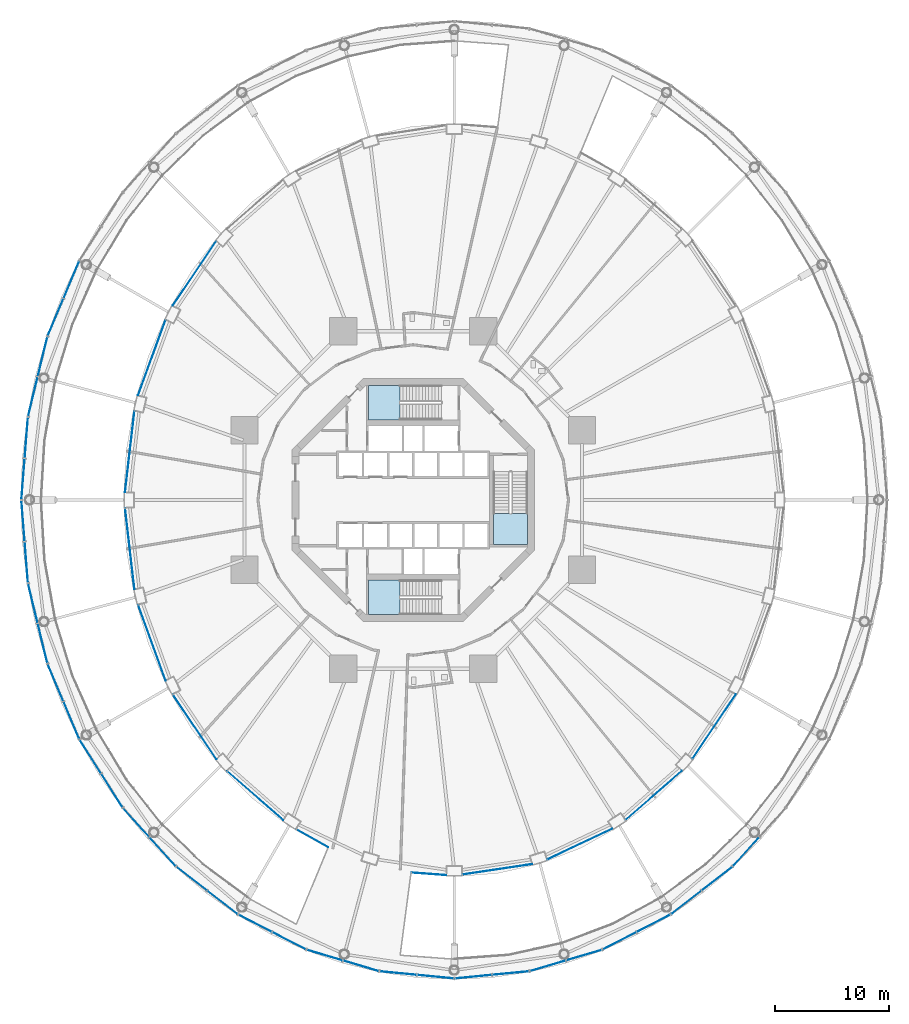
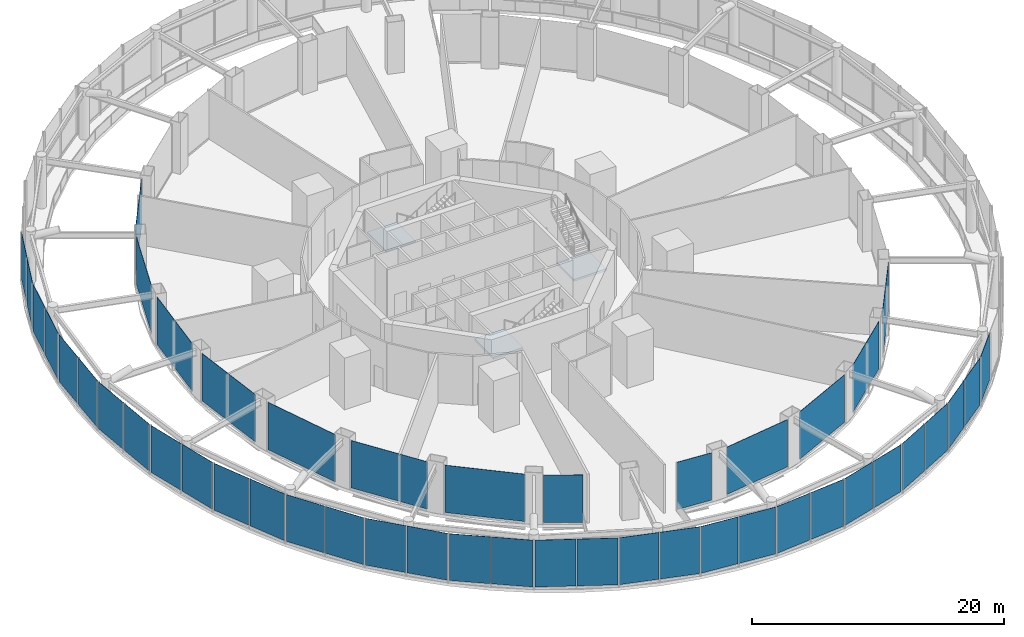
# One storey, part 41 of 52: 46 plates, 3 slabs, 33 elements without a shape of their own.
"""IFC4 building model written with IfcOpenShell, lengths in metres."""

from ifc_helpers import new_model, si_unit, direction, frame, origin, origin_2d, place, context, subcontext, project, spatial, polyline, rectangle, outline, extrude, material, layer, layer_set, type_object, element, aggregate, save


model = new_model("IFC4")

# Units and contexts
model_context = context("Model", 3, precision=1e-05, world=origin(), true_north=direction((0.0, 1.0)))
body_context = subcontext(model_context, "Body", "Model", "MODEL_VIEW")
ifc_project = project(units=[si_unit("LENGTHUNIT", "METRE"), si_unit("AREAUNIT", "SQUARE_METRE"), si_unit("VOLUMEUNIT", "CUBIC_METRE"), si_unit("PLANEANGLEUNIT", "RADIAN"), si_unit("MASSUNIT", "GRAM", prefix="KILO")], contexts=[model_context])

# Site, building, storey
site_placement = place(None, origin())
site = spatial("IfcSite", under=ifc_project, at=site_placement, CompositionType="ELEMENT")
building_placement = place(site_placement, origin())
building = spatial("IfcBuilding", under=site, at=building_placement, Name="Nagisa Residences", CompositionType="ELEMENT")
storey_placement = place(building_placement, frame((0.0, 0.0, 22.0)))
storey = spatial("IfcBuildingStorey", under=building, at=storey_placement, Name="L04", CompositionType="ELEMENT", Elevation=22.0)

# Curtain wall, plates
ifc_material_1 = material(Name="Stainless steel curtain wall system", Category="steel")
ifc_layer_1 = layer(ifc_material_1, 0.159912109375)
ifc_layer_set_1 = layer_set([ifc_layer_1], Name="CW3 CURTAIN WALL")
curtain_wall_type_1 = type_object("IfcCurtainWallType", Name="CW3 CURTAIN WALL", PredefinedType="NOTDEFINED", material=ifc_layer_set_1)
curtain_wall_1_placement = place(storey_placement, origin())
curtain_wall_1 = element("IfcCurtainWall", 1, at=curtain_wall_1_placement, inside=storey, type_object=curtain_wall_type_1, Name="cw:CW3:L04:15", PredefinedType="NOTDEFINED")
ifc_material_2 = material(Name="Low-iron laminated glass", Category="glass")
ifc_layer_2 = layer(ifc_material_2, 0.028076171875)
ifc_layer_set_2 = layer_set([ifc_layer_2], Name="CW3 GLASS PANEL")
plate_type_1 = type_object("IfcPlateType", Name="CW3 GLASS PANEL", PredefinedType="CURTAIN_PANEL", material=ifc_layer_set_2)
plate_1_placement = place(storey_placement, frame((-29.94287109375, 19.291748046875, 0.199951171875), z_axis=(0.0, 0.0, 1.0), x_axis=(-0.388718029417, -0.921356767819, 0.0)))
plate_1 = element("IfcPlate", 2, at=plate_1_placement, type_object=plate_type_1, Name="CW3 panel", PredefinedType="CURTAIN_PANEL", context=body_context, shape_type="SweptSolid", body=[
    extrude(rectangle(XDim=3.480712890625, YDim=0.028076171875, at=origin_2d()), origin(), (0.0, 0.0, 1.0), 4.5400390625),
])
plate_2_placement = place(storey_placement, frame((-31.326904296875, 16.010986328125, 0.199951171875), z_axis=(0.0, 0.0, 1.0), x_axis=(-0.388718029417, -0.921356767819, 0.0)))
plate_2 = element("IfcPlate", 3, at=plate_2_placement, type_object=plate_type_1, Name="CW3 panel", PredefinedType="CURTAIN_PANEL", context=body_context, shape_type="SweptSolid", body=[
    extrude(rectangle(XDim=3.480712890625, YDim=0.028076171875, at=origin_2d()), origin(), (0.0, 0.0, 1.0), 4.5400390625),
])
aggregate(curtain_wall_1, [plate_1, plate_2])

curtain_wall_2_placement = place(storey_placement, origin())
curtain_wall_2 = element("IfcCurtainWall", 4, at=curtain_wall_2_placement, inside=storey, type_object=curtain_wall_type_1, Name="cw:CW3:L04:16", PredefinedType="NOTDEFINED")
plate_3_placement = place(storey_placement, frame((-32.4638671875, 12.55859375, 0.199951171875), z_axis=(0.0, 0.0, 1.0), x_axis=(-0.235605514043, -0.971848775146, 0.0)))
plate_3 = element("IfcPlate", 5, at=plate_3_placement, type_object=plate_type_1, Name="CW3 panel", PredefinedType="CURTAIN_PANEL", context=body_context, shape_type="SweptSolid", body=[
    extrude(rectangle(XDim=3.518310546875, YDim=0.028076171875, at=origin_2d()), origin(), (0.0, 0.0, 1.0), 4.5400390625),
])
plate_4_placement = place(storey_placement, frame((-33.3115234375, 9.061767578125, 0.199951171875), z_axis=(0.0, 0.0, 1.0), x_axis=(-0.235605514043, -0.971848775146, 0.0)))
plate_4 = element("IfcPlate", 6, at=plate_4_placement, type_object=plate_type_1, Name="CW3 panel", PredefinedType="CURTAIN_PANEL", context=body_context, shape_type="SweptSolid", body=[
    extrude(rectangle(XDim=3.518310546875, YDim=0.028076171875, at=origin_2d()), origin(), (0.0, 0.0, 1.0), 4.5400390625),
])
aggregate(curtain_wall_2, [plate_3, plate_4])

curtain_wall_3_placement = place(storey_placement, origin())
curtain_wall_3 = element("IfcCurtainWall", 7, at=curtain_wall_3_placement, inside=storey, type_object=curtain_wall_type_1, Name="cw:CW3:L04:17", PredefinedType="NOTDEFINED")
plate_5_placement = place(storey_placement, frame((-33.888916015625, 5.443603515625, 0.199951171875), z_axis=(0.0, 0.0, 1.0), x_axis=(-0.078909582539, -0.996881777235, 0.0)))
plate_5 = element("IfcPlate", 8, at=plate_5_placement, type_object=plate_type_1, Name="CW3 panel", PredefinedType="CURTAIN_PANEL", context=body_context, shape_type="SweptSolid", body=[
    extrude(rectangle(XDim=3.5380859375, YDim=0.028076171875, at=origin_2d()), origin(), (0.0, 0.0, 1.0), 4.5400390625),
])
plate_6_placement = place(storey_placement, frame((-34.17431640625, 1.8369140625, 0.199951171875), z_axis=(0.0, 0.0, 1.0), x_axis=(-0.078909582539, -0.996881777235, 0.0)))
plate_6 = element("IfcPlate", 9, at=plate_6_placement, type_object=plate_type_1, Name="CW3 panel", PredefinedType="CURTAIN_PANEL", context=body_context, shape_type="SweptSolid", body=[
    extrude(rectangle(XDim=3.5380859375, YDim=0.028076171875, at=origin_2d()), origin(), (0.0, 0.0, 1.0), 4.5400390625),
])
aggregate(curtain_wall_3, [plate_5, plate_6])

curtain_wall_4_placement = place(storey_placement, origin())
curtain_wall_4 = element("IfcCurtainWall", 10, at=curtain_wall_4_placement, inside=storey, type_object=curtain_wall_type_1, Name="cw:CW3:L04:18", PredefinedType="NOTDEFINED")
plate_7_placement = place(storey_placement, frame((-34.17431640625, -1.8369140625, 0.199951171875), z_axis=(0.0, 0.0, 1.0), x_axis=(0.078909582539, -0.996881777235, 0.0)))
plate_7 = element("IfcPlate", 11, at=plate_7_placement, type_object=plate_type_1, Name="CW3 panel", PredefinedType="CURTAIN_PANEL", context=body_context, shape_type="SweptSolid", body=[
    extrude(rectangle(XDim=3.5380859375, YDim=0.028076171875, at=origin_2d()), origin(), (0.0, 0.0, 1.0), 4.5400390625),
])
plate_8_placement = place(storey_placement, frame((-33.888916015625, -5.443603515625, 0.199951171875), z_axis=(0.0, 0.0, 1.0), x_axis=(0.078909582539, -0.996881777235, 0.0)))
plate_8 = element("IfcPlate", 12, at=plate_8_placement, type_object=plate_type_1, Name="CW3 panel", PredefinedType="CURTAIN_PANEL", context=body_context, shape_type="SweptSolid", body=[
    extrude(rectangle(XDim=3.5380859375, YDim=0.028076171875, at=origin_2d()), origin(), (0.0, 0.0, 1.0), 4.5400390625),
])
aggregate(curtain_wall_4, [plate_7, plate_8])

curtain_wall_5_placement = place(storey_placement, origin())
curtain_wall_5 = element("IfcCurtainWall", 13, at=curtain_wall_5_placement, inside=storey, type_object=curtain_wall_type_1, Name="cw:CW3:L04:19", PredefinedType="NOTDEFINED")
plate_9_placement = place(storey_placement, frame((-33.3115234375, -9.061767578125, 0.199951171875), z_axis=(0.0, 0.0, 1.0), x_axis=(0.235605514043, -0.971848775146, 0.0)))
plate_9 = element("IfcPlate", 14, at=plate_9_placement, type_object=plate_type_1, Name="CW3 panel", PredefinedType="CURTAIN_PANEL", context=body_context, shape_type="SweptSolid", body=[
    extrude(rectangle(XDim=3.518310546875, YDim=0.028076171875, at=origin_2d()), origin(), (0.0, 0.0, 1.0), 4.5400390625),
])
plate_10_placement = place(storey_placement, frame((-32.4638671875, -12.55859375, 0.199951171875), z_axis=(0.0, 0.0, 1.0), x_axis=(0.235605514043, -0.971848775146, 0.0)))
plate_10 = element("IfcPlate", 15, at=plate_10_placement, type_object=plate_type_1, Name="CW3 panel", PredefinedType="CURTAIN_PANEL", context=body_context, shape_type="SweptSolid", body=[
    extrude(rectangle(XDim=3.518310546875, YDim=0.028076171875, at=origin_2d()), origin(), (0.0, 0.0, 1.0), 4.5400390625),
])
aggregate(curtain_wall_5, [plate_9, plate_10])

curtain_wall_6_placement = place(storey_placement, origin())
curtain_wall_6 = element("IfcCurtainWall", 16, at=curtain_wall_6_placement, inside=storey, type_object=curtain_wall_type_1, Name="cw:CW3:L04:20", PredefinedType="NOTDEFINED")
plate_11_placement = place(storey_placement, frame((-31.326904296875, -16.010986328125, 0.199951171875), z_axis=(0.0, 0.0, 1.0), x_axis=(0.388718029417, -0.921356767819, 0.0)))
plate_11 = element("IfcPlate", 17, at=plate_11_placement, type_object=plate_type_1, Name="CW3 panel", PredefinedType="CURTAIN_PANEL", context=body_context, shape_type="SweptSolid", body=[
    extrude(rectangle(XDim=3.480712890625, YDim=0.028076171875, at=origin_2d()), origin(), (0.0, 0.0, 1.0), 4.5400390625),
])
plate_12_placement = place(storey_placement, frame((-29.94287109375, -19.291748046875, 0.199951171875), z_axis=(0.0, 0.0, 1.0), x_axis=(0.388718029417, -0.921356767819, 0.0)))
plate_12 = element("IfcPlate", 18, at=plate_12_placement, type_object=plate_type_1, Name="CW3 panel", PredefinedType="CURTAIN_PANEL", context=body_context, shape_type="SweptSolid", body=[
    extrude(rectangle(XDim=3.480712890625, YDim=0.028076171875, at=origin_2d()), origin(), (0.0, 0.0, 1.0), 4.5400390625),
])
aggregate(curtain_wall_6, [plate_11, plate_12])

curtain_wall_7_placement = place(storey_placement, origin())
curtain_wall_7 = element("IfcCurtainWall", 19, at=curtain_wall_7_placement, inside=storey, type_object=curtain_wall_type_1, Name="cw:CW3:L04:21", PredefinedType="NOTDEFINED")
plate_13_placement = place(storey_placement, frame((-28.28076171875, -22.473388671875, 0.199951171875), z_axis=(0.0, 0.0, 1.0), x_axis=(0.535165286856, -0.844747368001, 0.0)))
plate_13 = element("IfcPlate", 20, at=plate_13_placement, type_object=plate_type_1, Name="CW3 panel", PredefinedType="CURTAIN_PANEL", context=body_context, shape_type="SweptSolid", body=[
    extrude(rectangle(XDim=3.4296875, YDim=0.028076171875, at=origin_2d()), origin(), (0.0, 0.0, 1.0), 4.5400390625),
])
plate_14_placement = place(storey_placement, frame((-26.402587890625, -25.43798828125, 0.199951171875), z_axis=(0.0, 0.0, 1.0), x_axis=(0.535165286856, -0.844747368001, 0.0)))
plate_14 = element("IfcPlate", 21, at=plate_14_placement, type_object=plate_type_1, Name="CW3 panel", PredefinedType="CURTAIN_PANEL", context=body_context, shape_type="SweptSolid", body=[
    extrude(rectangle(XDim=3.4296875, YDim=0.028076171875, at=origin_2d()), origin(), (0.0, 0.0, 1.0), 4.5400390625),
])
aggregate(curtain_wall_7, [plate_13, plate_14])

curtain_wall_8_placement = place(storey_placement, origin())
curtain_wall_8 = element("IfcCurtainWall", 22, at=curtain_wall_8_placement, inside=storey, type_object=curtain_wall_type_1, Name="cw:CW3:L04:22", PredefinedType="NOTDEFINED")
plate_15_placement = place(storey_placement, frame((-24.26611328125, -28.25244140625, 0.199951171875), z_axis=(0.0, 0.0, 1.0), x_axis=(0.670913323971, -0.741535779122, 0.0)))
plate_15 = element("IfcPlate", 23, at=plate_15_placement, type_object=plate_type_1, Name="CW3 panel", PredefinedType="CURTAIN_PANEL", context=body_context, shape_type="SweptSolid", body=[
    extrude(rectangle(XDim=3.37060546875, YDim=0.028076171875, at=origin_2d()), origin(), (0.0, 0.0, 1.0), 4.5400390625),
])
plate_16_placement = place(storey_placement, frame((-21.950927734375, -30.811279296875, 0.199951171875), z_axis=(0.0, 0.0, 1.0), x_axis=(0.670913323971, -0.741535779122, 0.0)))
plate_16 = element("IfcPlate", 24, at=plate_16_placement, type_object=plate_type_1, Name="CW3 panel", PredefinedType="CURTAIN_PANEL", context=body_context, shape_type="SweptSolid", body=[
    extrude(rectangle(XDim=3.37060546875, YDim=0.028076171875, at=origin_2d()), origin(), (0.0, 0.0, 1.0), 4.5400390625),
])
aggregate(curtain_wall_8, [plate_15, plate_16])

curtain_wall_9_placement = place(storey_placement, origin())
curtain_wall_9 = element("IfcCurtainWall", 25, at=curtain_wall_9_placement, inside=storey, type_object=curtain_wall_type_1, Name="cw:CW3:L04:23", PredefinedType="NOTDEFINED")
plate_17_placement = place(storey_placement, frame((-19.40478515625, -33.172607421875, 0.199951171875), z_axis=(0.0, 0.0, 1.0), x_axis=(0.790830864353, -0.612034757172, 0.0)))
plate_17 = element("IfcPlate", 26, at=plate_17_placement, type_object=plate_type_1, Name="CW3 panel", PredefinedType="CURTAIN_PANEL", context=body_context, shape_type="SweptSolid", body=[
    extrude(rectangle(XDim=3.310546875, YDim=0.028076171875, at=origin_2d()), origin(), (0.0, 0.0, 1.0), 4.5400390625),
])
plate_18_placement = place(storey_placement, frame((-16.723388671875, -35.247802734375, 0.199951171875), z_axis=(0.0, 0.0, 1.0), x_axis=(0.790830864353, -0.612034757172, 0.0)))
plate_18 = element("IfcPlate", 27, at=plate_18_placement, type_object=plate_type_1, Name="CW3 panel", PredefinedType="CURTAIN_PANEL", context=body_context, shape_type="SweptSolid", body=[
    extrude(rectangle(XDim=3.310546875, YDim=0.028076171875, at=origin_2d()), origin(), (0.0, 0.0, 1.0), 4.5400390625),
])
aggregate(curtain_wall_9, [plate_17, plate_18])

curtain_wall_10_placement = place(storey_placement, origin())
curtain_wall_10 = element("IfcCurtainWall", 28, at=curtain_wall_10_placement, inside=storey, type_object=curtain_wall_type_1, Name="cw:CW3:L04:24", PredefinedType="NOTDEFINED")
plate_19_placement = place(storey_placement, frame((-13.8447265625, -37.084716796875, 0.199951171875), z_axis=(0.0, 0.0, 1.0), x_axis=(0.888887270285, -0.45812598783, 0.0)))
plate_19 = element("IfcPlate", 29, at=plate_19_placement, type_object=plate_type_1, Name="CW3 panel", PredefinedType="CURTAIN_PANEL", context=body_context, shape_type="SweptSolid", body=[
    extrude(rectangle(XDim=3.2568359375, YDim=0.028076171875, at=origin_2d()), origin(), (0.0, 0.0, 1.0), 4.5400390625),
])
plate_20_placement = place(storey_placement, frame((-10.878662109375, -38.61328125, 0.199951171875), z_axis=(0.0, 0.0, 1.0), x_axis=(0.888887270285, -0.45812598783, 0.0)))
plate_20 = element("IfcPlate", 30, at=plate_20_placement, type_object=plate_type_1, Name="CW3 panel", PredefinedType="CURTAIN_PANEL", context=body_context, shape_type="SweptSolid", body=[
    extrude(rectangle(XDim=3.2568359375, YDim=0.028076171875, at=origin_2d()), origin(), (0.0, 0.0, 1.0), 4.5400390625),
])
aggregate(curtain_wall_10, [plate_19, plate_20])

curtain_wall_11_placement = place(storey_placement, origin())
curtain_wall_11 = element("IfcCurtainWall", 31, at=curtain_wall_11_placement, inside=storey, type_object=curtain_wall_type_1, Name="cw:CW3:L04:25", PredefinedType="NOTDEFINED")
plate_21_placement = place(storey_placement, frame((-7.75537109375, -39.869873046875, 0.199951171875), z_axis=(0.0, 0.0, 1.0), x_axis=(0.958835171393, -0.283963226669, 0.0)))
plate_21 = element("IfcPlate", 32, at=plate_21_placement, type_object=plate_type_1, Name="CW3 panel", PredefinedType="CURTAIN_PANEL", context=body_context, shape_type="SweptSolid", body=[
    extrude(rectangle(XDim=3.21630859375, YDim=0.028076171875, at=origin_2d()), origin(), (0.0, 0.0, 1.0), 4.5400390625),
])
plate_22_placement = place(storey_placement, frame((-4.5947265625, -40.805908203125, 0.199951171875), z_axis=(0.0, 0.0, 1.0), x_axis=(0.958835171393, -0.283963226669, 0.0)))
plate_22 = element("IfcPlate", 33, at=plate_22_placement, type_object=plate_type_1, Name="CW3 panel", PredefinedType="CURTAIN_PANEL", context=body_context, shape_type="SweptSolid", body=[
    extrude(rectangle(XDim=3.21630859375, YDim=0.028076171875, at=origin_2d()), origin(), (0.0, 0.0, 1.0), 4.5400390625),
])
aggregate(curtain_wall_11, [plate_21, plate_22])

curtain_wall_12_placement = place(storey_placement, origin())
curtain_wall_12 = element("IfcCurtainWall", 34, at=curtain_wall_12_placement, inside=storey, type_object=curtain_wall_type_1, Name="cw:CW3:L04:26", PredefinedType="NOTDEFINED")
plate_23_placement = place(storey_placement, frame((-1.3212890625, -41.44384765625, 0.199951171875), z_axis=(0.0, 0.0, 1.0), x_axis=(0.995357282289, -0.096249055035, 0.0)))
plate_23 = element("IfcPlate", 35, at=plate_23_placement, type_object=plate_type_1, Name="CW3 panel", PredefinedType="CURTAIN_PANEL", context=body_context, shape_type="SweptSolid", body=[
    extrude(rectangle(XDim=3.19482421875, YDim=0.028076171875, at=origin_2d()), origin(), (0.0, 0.0, 1.0), 4.5400390625),
])
plate_24_placement = place(storey_placement, frame((1.938232421875, -41.759033203125, 0.199951171875), z_axis=(0.0, 0.0, 1.0), x_axis=(0.995357282289, -0.096249055035, 0.0)))
plate_24 = element("IfcPlate", 36, at=plate_24_placement, type_object=plate_type_1, Name="CW3 panel", PredefinedType="CURTAIN_PANEL", context=body_context, shape_type="SweptSolid", body=[
    extrude(rectangle(XDim=3.19482421875, YDim=0.028076171875, at=origin_2d()), origin(), (0.0, 0.0, 1.0), 4.5400390625),
])
aggregate(curtain_wall_12, [plate_23, plate_24])

curtain_wall_13_placement = place(storey_placement, origin())
curtain_wall_13 = element("IfcCurtainWall", 37, at=curtain_wall_13_placement, inside=storey, type_object=curtain_wall_type_1, Name="cw:CW3:L04:27", PredefinedType="NOTDEFINED")
plate_25_placement = place(storey_placement, frame((5.261962890625, -41.759033203125, 0.199951171875), z_axis=(0.0, 0.0, 1.0), x_axis=(0.995357282289, 0.096249055035, 0.0)))
plate_25 = element("IfcPlate", 38, at=plate_25_placement, type_object=plate_type_1, Name="CW3 panel", PredefinedType="CURTAIN_PANEL", context=body_context, shape_type="SweptSolid", body=[
    extrude(rectangle(XDim=3.19482421875, YDim=0.028076171875, at=origin_2d()), origin(), (0.0, 0.0, 1.0), 4.5400390625),
])
plate_26_placement = place(storey_placement, frame((8.521484375, -41.44384765625, 0.199951171875), z_axis=(0.0, 0.0, 1.0), x_axis=(0.995357282289, 0.096249055035, 0.0)))
plate_26 = element("IfcPlate", 39, at=plate_26_placement, type_object=plate_type_1, Name="CW3 panel", PredefinedType="CURTAIN_PANEL", context=body_context, shape_type="SweptSolid", body=[
    extrude(rectangle(XDim=3.19482421875, YDim=0.028076171875, at=origin_2d()), origin(), (0.0, 0.0, 1.0), 4.5400390625),
])
aggregate(curtain_wall_13, [plate_25, plate_26])

curtain_wall_14_placement = place(storey_placement, origin())
curtain_wall_14 = element("IfcCurtainWall", 40, at=curtain_wall_14_placement, inside=storey, type_object=curtain_wall_type_1, Name="cw:CW3:L04:28", PredefinedType="NOTDEFINED")
plate_27_placement = place(storey_placement, frame((11.794677734375, -40.805908203125, 0.199951171875), z_axis=(0.0, 0.0, 1.0), x_axis=(0.958835171393, 0.283963226669, 0.0)))
plate_27 = element("IfcPlate", 41, at=plate_27_placement, type_object=plate_type_1, Name="CW3 panel", PredefinedType="CURTAIN_PANEL", context=body_context, shape_type="SweptSolid", body=[
    extrude(rectangle(XDim=3.21630859375, YDim=0.028076171875, at=origin_2d()), origin(), (0.0, 0.0, 1.0), 4.5400390625),
])
plate_28_placement = place(storey_placement, frame((14.955322265625, -39.869873046875, 0.199951171875), z_axis=(0.0, 0.0, 1.0), x_axis=(0.958835171393, 0.283963226669, 0.0)))
plate_28 = element("IfcPlate", 42, at=plate_28_placement, type_object=plate_type_1, Name="CW3 panel", PredefinedType="CURTAIN_PANEL", context=body_context, shape_type="SweptSolid", body=[
    extrude(rectangle(XDim=3.21630859375, YDim=0.028076171875, at=origin_2d()), origin(), (0.0, 0.0, 1.0), 4.5400390625),
])
aggregate(curtain_wall_14, [plate_27, plate_28])

curtain_wall_15_placement = place(storey_placement, origin())
curtain_wall_15 = element("IfcCurtainWall", 43, at=curtain_wall_15_placement, inside=storey, type_object=curtain_wall_type_1, Name="cw:CW3:L04:29", PredefinedType="NOTDEFINED")
plate_29_placement = place(storey_placement, frame((18.07861328125, -38.61328125, 0.199951171875), z_axis=(0.0, 0.0, 1.0), x_axis=(0.888887270285, 0.45812598783, 0.0)))
plate_29 = element("IfcPlate", 44, at=plate_29_placement, type_object=plate_type_1, Name="CW3 panel", PredefinedType="CURTAIN_PANEL", context=body_context, shape_type="SweptSolid", body=[
    extrude(rectangle(XDim=3.2568359375, YDim=0.028076171875, at=origin_2d()), origin(), (0.0, 0.0, 1.0), 4.5400390625),
])
plate_30_placement = place(storey_placement, frame((21.044677734375, -37.084716796875, 0.199951171875), z_axis=(0.0, 0.0, 1.0), x_axis=(0.888887270285, 0.45812598783, 0.0)))
plate_30 = element("IfcPlate", 45, at=plate_30_placement, type_object=plate_type_1, Name="CW3 panel", PredefinedType="CURTAIN_PANEL", context=body_context, shape_type="SweptSolid", body=[
    extrude(rectangle(XDim=3.2568359375, YDim=0.028076171875, at=origin_2d()), origin(), (0.0, 0.0, 1.0), 4.5400390625),
])
aggregate(curtain_wall_15, [plate_29, plate_30])

curtain_wall_16_placement = place(storey_placement, origin())
curtain_wall_16 = element("IfcCurtainWall", 46, at=curtain_wall_16_placement, inside=storey, type_object=curtain_wall_type_1, Name="cw:CW3:L04:30", PredefinedType="NOTDEFINED")
plate_31_placement = place(storey_placement, frame((23.92333984375, -35.247802734375, 0.199951171875), z_axis=(0.0, 0.0, 1.0), x_axis=(0.790830864353, 0.612034757172, 0.0)))
plate_31 = element("IfcPlate", 47, at=plate_31_placement, type_object=plate_type_1, Name="CW3 panel", PredefinedType="CURTAIN_PANEL", context=body_context, shape_type="SweptSolid", body=[
    extrude(rectangle(XDim=3.310546875, YDim=0.028076171875, at=origin_2d()), origin(), (0.0, 0.0, 1.0), 4.5400390625),
])
plate_32_placement = place(storey_placement, frame((26.604736328125, -33.172607421875, 0.199951171875), z_axis=(0.0, 0.0, 1.0), x_axis=(0.790830864353, 0.612034757172, 0.0)))
plate_32 = element("IfcPlate", 48, at=plate_32_placement, type_object=plate_type_1, Name="CW3 panel", PredefinedType="CURTAIN_PANEL", context=body_context, shape_type="SweptSolid", body=[
    extrude(rectangle(XDim=3.310546875, YDim=0.028076171875, at=origin_2d()), origin(), (0.0, 0.0, 1.0), 4.5400390625),
])
aggregate(curtain_wall_16, [plate_31, plate_32])

# Curtain wall, plate
curtain_wall_17_placement = place(storey_placement, origin())
curtain_wall_17 = element("IfcCurtainWall", 49, at=curtain_wall_17_placement, inside=storey, type_object=curtain_wall_type_1, Name="cw:CW3:L04:31", PredefinedType="NOTDEFINED")
plate_33_placement = place(storey_placement, frame((29.15087890625, -30.811279296875, 0.199951171875), z_axis=(0.0, 0.0, 1.0), x_axis=(0.670913323971, 0.741535779122, 0.0)))
plate_33 = element("IfcPlate", 50, at=plate_33_placement, type_object=plate_type_1, Name="CW3 panel", PredefinedType="CURTAIN_PANEL", context=body_context, shape_type="SweptSolid", body=[
    extrude(rectangle(XDim=3.37060546875, YDim=0.028076171875, at=origin_2d()), origin(), (0.0, 0.0, 1.0), 4.5400390625),
])
aggregate(curtain_wall_17, [plate_33])

ifc_material_3 = material(Name="Stainless steel curtain wall system", Category="steel")
ifc_layer_3 = layer(ifc_material_3, 0.159912109375)
ifc_layer_set_3 = layer_set([ifc_layer_3], Name="CW6 CURTAIN WALL")
curtain_wall_type_2 = type_object("IfcCurtainWallType", Name="CW6 CURTAIN WALL", PredefinedType="NOTDEFINED", material=ifc_layer_set_3)
curtain_wall_18_placement = place(storey_placement, origin())
curtain_wall_18 = element("IfcCurtainWall", 51, at=curtain_wall_18_placement, inside=storey, type_object=curtain_wall_type_2, Name="cw:CW6:L04:18", PredefinedType="NOTDEFINED")
ifc_material_4 = material(Name="Low-iron laminated glass", Category="glass")
ifc_layer_4 = layer(ifc_material_4, 0.028076171875)
ifc_layer_set_4 = layer_set([ifc_layer_4], Name="CW6 GLASS PANEL")
plate_type_2 = type_object("IfcPlateType", Name="CW6 GLASS PANEL", PredefinedType="CURTAIN_PANEL", material=ifc_layer_set_4)
plate_34_placement = place(storey_placement, frame((-19.160888671875, 19.84765625, 0.14990234375), z_axis=(0.0, 0.0, 1.0), x_axis=(-0.559084136544, -0.829110926393, 0.0)))
plate_34 = element("IfcPlate", 52, at=plate_34_placement, type_object=plate_type_2, Name="CW6 panel", PredefinedType="CURTAIN_PANEL", context=body_context, shape_type="SweptSolid", body=[
    extrude(rectangle(XDim=6.783203125, YDim=0.028076171875, at=origin_2d()), origin(), (0.0, 0.0, 1.0), 4.590087890625),
])
aggregate(curtain_wall_18, [plate_34])

curtain_wall_19_placement = place(storey_placement, origin())
curtain_wall_19 = element("IfcCurtainWall", 53, at=curtain_wall_19_placement, inside=storey, type_object=curtain_wall_type_2, Name="cw:CW6:L04:20", PredefinedType="NOTDEFINED")
plate_35_placement = place(storey_placement, frame((-22.8984375, 12.46484375, 0.14990234375), z_axis=(0.0, 0.0, 1.0), x_axis=(-0.342049702176, -0.939681861718, 0.0)))
plate_35 = element("IfcPlate", 54, at=plate_35_placement, type_object=plate_type_2, Name="CW6 panel", PredefinedType="CURTAIN_PANEL", context=body_context, shape_type="SweptSolid", body=[
    extrude(rectangle(XDim=7.009765625, YDim=0.028076171875, at=origin_2d()), origin(), (0.0, 0.0, 1.0), 4.590087890625),
])
aggregate(curtain_wall_19, [plate_35])

curtain_wall_20_placement = place(storey_placement, origin())
curtain_wall_20 = element("IfcCurtainWall", 55, at=curtain_wall_20_placement, inside=storey, type_object=curtain_wall_type_2, Name="cw:CW6:L04:22", PredefinedType="NOTDEFINED")
plate_36_placement = place(storey_placement, frame((-24.829833984375, 4.2314453125, 0.14990234375), z_axis=(0.0, 0.0, 1.0), x_axis=(-0.114928006139, -0.993373823596, 0.0)))
plate_36 = element("IfcPlate", 56, at=plate_36_placement, type_object=plate_type_2, Name="CW6 panel", PredefinedType="CURTAIN_PANEL", context=body_context, shape_type="SweptSolid", body=[
    extrude(rectangle(XDim=7.137939453125, YDim=0.028076171875, at=origin_2d()), origin(), (0.0, 0.0, 1.0), 4.590087890625),
])
aggregate(curtain_wall_20, [plate_36])

curtain_wall_21_placement = place(storey_placement, origin())
curtain_wall_21 = element("IfcCurtainWall", 57, at=curtain_wall_21_placement, inside=storey, type_object=curtain_wall_type_2, Name="cw:CW6:L04:24", PredefinedType="NOTDEFINED")
plate_37_placement = place(storey_placement, frame((-24.822998046875, -4.291015625, 0.14990234375), z_axis=(0.0, 0.0, 1.0), x_axis=(0.114928006139, -0.993373823596, 0.0)))
plate_37 = element("IfcPlate", 58, at=plate_37_placement, type_object=plate_type_2, Name="CW6 panel", PredefinedType="CURTAIN_PANEL", context=body_context, shape_type="SweptSolid", body=[
    extrude(rectangle(XDim=7.137939453125, YDim=0.028076171875, at=origin_2d()), origin(), (0.0, 0.0, 1.0), 4.590087890625),
])
aggregate(curtain_wall_21, [plate_37])

curtain_wall_22_placement = place(storey_placement, origin())
curtain_wall_22 = element("IfcCurtainWall", 59, at=curtain_wall_22_placement, inside=storey, type_object=curtain_wall_type_2, Name="cw:CW6:L04:26", PredefinedType="NOTDEFINED")
plate_38_placement = place(storey_placement, frame((-22.8779296875, -12.521240234375, 0.14990234375), z_axis=(0.0, 0.0, 1.0), x_axis=(0.342049702176, -0.939681861718, 0.0)))
plate_38 = element("IfcPlate", 60, at=plate_38_placement, type_object=plate_type_2, Name="CW6 panel", PredefinedType="CURTAIN_PANEL", context=body_context, shape_type="SweptSolid", body=[
    extrude(rectangle(XDim=7.009765625, YDim=0.028076171875, at=origin_2d()), origin(), (0.0, 0.0, 1.0), 4.590087890625),
])
aggregate(curtain_wall_22, [plate_38])

curtain_wall_23_placement = place(storey_placement, origin())
curtain_wall_23 = element("IfcCurtainWall", 61, at=curtain_wall_23_placement, inside=storey, type_object=curtain_wall_type_2, Name="cw:CW6:L04:28", PredefinedType="NOTDEFINED")
plate_39_placement = place(storey_placement, frame((-19.127197265625, -19.8974609375, 0.14990234375), z_axis=(0.0, 0.0, 1.0), x_axis=(0.559084136544, -0.829110926393, 0.0)))
plate_39 = element("IfcPlate", 62, at=plate_39_placement, type_object=plate_type_2, Name="CW6 panel", PredefinedType="CURTAIN_PANEL", context=body_context, shape_type="SweptSolid", body=[
    extrude(rectangle(XDim=6.783203125, YDim=0.028076171875, at=origin_2d()), origin(), (0.0, 0.0, 1.0), 4.590087890625),
])
aggregate(curtain_wall_23, [plate_39])

curtain_wall_24_placement = place(storey_placement, origin())
curtain_wall_24 = element("IfcCurtainWall", 63, at=curtain_wall_24_placement, inside=storey, type_object=curtain_wall_type_2, Name="cw:CW6:L04:30", PredefinedType="NOTDEFINED")
plate_40_placement = place(storey_placement, frame((-13.827880859375, -25.916259765625, 0.14990234375), z_axis=(0.0, 0.0, 1.0), x_axis=(0.753261216572, -0.657721475708, 0.0)))
plate_40 = element("IfcPlate", 64, at=plate_40_placement, type_object=plate_type_2, Name="CW6 panel", PredefinedType="CURTAIN_PANEL", context=body_context, shape_type="SweptSolid", body=[
    extrude(rectangle(XDim=6.513427734375, YDim=0.028076171875, at=origin_2d()), origin(), (0.0, 0.0, 1.0), 4.590087890625),
])
aggregate(curtain_wall_24, [plate_40])

curtain_wall_25_placement = place(storey_placement, origin())
curtain_wall_25 = element("IfcCurtainWall", 65, at=curtain_wall_25_placement, inside=storey, type_object=curtain_wall_type_2, Name="cw:CW6:L04:32", PredefinedType="NOTDEFINED")
plate_41_placement = place(storey_placement, frame((-8.828369140625, -29.649658203125, 0.14990234375), z_axis=(0.0, 0.0, 1.0), x_axis=(0.872072377523, -0.489376918501, 0.0)))
plate_41 = element("IfcPlate", 66, at=plate_41_placement, type_object=plate_type_2, Name="CW6 panel", PredefinedType="CURTAIN_PANEL", context=body_context, shape_type="SweptSolid", body=[
    extrude(rectangle(XDim=3.141357421875, YDim=0.028076171875, at=origin_2d()), origin(), (0.0, 0.0, 1.0), 4.590087890625),
])
aggregate(curtain_wall_25, [plate_41])

curtain_wall_26_placement = place(storey_placement, origin())
curtain_wall_26 = element("IfcCurtainWall", 67, at=curtain_wall_26_placement, inside=storey, type_object=curtain_wall_type_2, Name="cw:CW6:L04:35", PredefinedType="NOTDEFINED")
plate_42_placement = place(storey_placement, frame((1.394287109375, -32.75537109375, 0.14990234375), z_axis=(0.0, 0.0, 1.0), x_axis=(0.997230168512, -0.074377355493, 0.0)))
plate_42 = element("IfcPlate", 68, at=plate_42_placement, type_object=plate_type_2, Name="CW6 panel", PredefinedType="CURTAIN_PANEL", context=body_context, shape_type="SweptSolid", body=[
    extrude(rectangle(XDim=3.035888671875, YDim=0.028076171875, at=origin_2d()), origin(), (0.0, 0.0, 1.0), 4.590087890625),
])
aggregate(curtain_wall_26, [plate_42])

curtain_wall_27_placement = place(storey_placement, origin())
curtain_wall_27 = element("IfcCurtainWall", 69, at=curtain_wall_27_placement, inside=storey, type_object=curtain_wall_type_2, Name="cw:CW6:L04:36", PredefinedType="NOTDEFINED")
plate_43_placement = place(storey_placement, frame((7.37060546875, -32.354248046875, 0.14990234375), z_axis=(0.0, 0.0, 1.0), x_axis=(0.988963689083, 0.148158096894, 0.0)))
plate_43 = element("IfcPlate", 70, at=plate_43_placement, type_object=plate_type_2, Name="CW6 panel", PredefinedType="CURTAIN_PANEL", context=body_context, shape_type="SweptSolid", body=[
    extrude(rectangle(XDim=6.12939453125, YDim=0.028076171875, at=origin_2d()), origin(), (0.0, 0.0, 1.0), 4.590087890625),
])
aggregate(curtain_wall_27, [plate_43])

curtain_wall_28_placement = place(storey_placement, origin())
curtain_wall_28 = element("IfcCurtainWall", 71, at=curtain_wall_28_placement, inside=storey, type_object=curtain_wall_type_2, Name="cw:CW6:L04:38", PredefinedType="NOTDEFINED")
plate_44_placement = place(storey_placement, frame((14.595947265625, -30.14208984375, 0.14990234375), z_axis=(0.0, 0.0, 1.0), x_axis=(0.904554286432, 0.426358467603, 0.0)))
plate_44 = element("IfcPlate", 72, at=plate_44_placement, type_object=plate_type_2, Name="CW6 panel", PredefinedType="CURTAIN_PANEL", context=body_context, shape_type="SweptSolid", body=[
    extrude(rectangle(XDim=6.272216796875, YDim=0.028076171875, at=origin_2d()), origin(), (0.0, 0.0, 1.0), 4.590087890625),
])
aggregate(curtain_wall_28, [plate_44])

curtain_wall_29_placement = place(storey_placement, origin())
curtain_wall_29 = element("IfcCurtainWall", 73, at=curtain_wall_29_placement, inside=storey, type_object=curtain_wall_type_2, Name="cw:CW6:L04:40", PredefinedType="NOTDEFINED")
plate_45_placement = place(storey_placement, frame((21.072998046875, -25.876708984375, 0.14990234375), z_axis=(0.0, 0.0, 1.0), x_axis=(0.753261216572, 0.657721475708, 0.0)))
plate_45 = element("IfcPlate", 74, at=plate_45_placement, type_object=plate_type_2, Name="CW6 panel", PredefinedType="CURTAIN_PANEL", context=body_context, shape_type="SweptSolid", body=[
    extrude(rectangle(XDim=6.513427734375, YDim=0.028076171875, at=origin_2d()), origin(), (0.0, 0.0, 1.0), 4.590087890625),
])
aggregate(curtain_wall_29, [plate_45])

curtain_wall_30_placement = place(storey_placement, origin())
curtain_wall_30 = element("IfcCurtainWall", 75, at=curtain_wall_30_placement, inside=storey, type_object=curtain_wall_type_2, Name="cw:CW6:L04:42", PredefinedType="NOTDEFINED")
plate_46_placement = place(storey_placement, frame((26.36083984375, -19.84765625, 0.14990234375), z_axis=(0.0, 0.0, 1.0), x_axis=(0.559084136544, 0.829110926393, 0.0)))
plate_46 = element("IfcPlate", 76, at=plate_46_placement, type_object=plate_type_2, Name="CW6 panel", PredefinedType="CURTAIN_PANEL", context=body_context, shape_type="SweptSolid", body=[
    extrude(rectangle(XDim=6.783203125, YDim=0.028076171875, at=origin_2d()), origin(), (0.0, 0.0, 1.0), 4.590087890625),
])
aggregate(curtain_wall_30, [plate_46])

# Stair, slab
ifc_material_5 = material(Name="Concrete C60", Category="concrete")
stair_type = type_object("IfcStairType", Name="Exit stair", PredefinedType="HALF_TURN_STAIR", material=ifc_material_5)
stair_1_placement = place(storey_placement, origin())
stair_1 = element("IfcStair", 77, at=stair_1_placement, inside=storey, type_object=stair_type, Name="L04 Exit stair E", PredefinedType="HALF_TURN_STAIR")
ifc_material_6 = material(Name="Concrete C60", Category="concrete")
ifc_layer_5 = layer(ifc_material_6, 0.199951171875)
ifc_layer_set_5 = layer_set([ifc_layer_5], Name="Stair landing")
slab_type = type_object("IfcSlabType", Name="Stair landing", PredefinedType="LANDING", material=ifc_layer_set_5)
slab_1_placement = place(storey_placement, frame((0.0, 0.0, 2.300048828125)))
slab_1 = element("IfcSlab", 78, at=slab_1_placement, type_object=slab_type, Name="ST-E landing 1", PredefinedType="LANDING", context=body_context, shape_type="SweptSolid", body=[
    extrude(outline(polyline([(7.024658203125, -1.1650390625), (7.024658203125, -3.89990234375), (10.024658203125, -3.89990234375), (10.024658203125, -1.1650390625), (7.024658203125, -1.1650390625)])), origin(), (0.0, 0.0, 1.0), 0.199951171875),
])
aggregate(stair_1, [slab_1])

stair_2_placement = place(storey_placement, origin())
stair_2 = element("IfcStair", 79, at=stair_2_placement, inside=storey, type_object=stair_type, Name="L04 Exit stair N", PredefinedType="HALF_TURN_STAIR")
slab_2_placement = place(storey_placement, frame((0.0, 0.0, 2.300048828125)))
slab_2 = element("IfcSlab", 80, at=slab_2_placement, type_object=slab_type, Name="ST-N landing 1", PredefinedType="LANDING", context=body_context, shape_type="SweptSolid", body=[
    extrude(outline(polyline([(-1.1650390625, 10.024658203125), (-3.89990234375, 10.024658203125), (-3.89990234375, 7.024658203125), (-1.1650390625, 7.024658203125), (-1.1650390625, 10.024658203125)])), origin(), (0.0, 0.0, 1.0), 0.199951171875),
])
aggregate(stair_2, [slab_2])

stair_3_placement = place(storey_placement, origin())
stair_3 = element("IfcStair", 81, at=stair_3_placement, inside=storey, type_object=stair_type, Name="L04 Exit stair S", PredefinedType="HALF_TURN_STAIR")
slab_3_placement = place(storey_placement, frame((0.0, 0.0, 2.300048828125)))
slab_3 = element("IfcSlab", 82, at=slab_3_placement, type_object=slab_type, Name="ST-S landing 1", PredefinedType="LANDING", context=body_context, shape_type="SweptSolid", body=[
    extrude(outline(polyline([(-1.1650390625, -7.024658203125), (-3.89990234375, -7.024658203125), (-3.89990234375, -10.024658203125), (-1.1650390625, -10.024658203125), (-1.1650390625, -7.024658203125)])), origin(), (0.0, 0.0, 1.0), 0.199951171875),
])
aggregate(stair_3, [slab_3])

save(model, "model.ifc")
